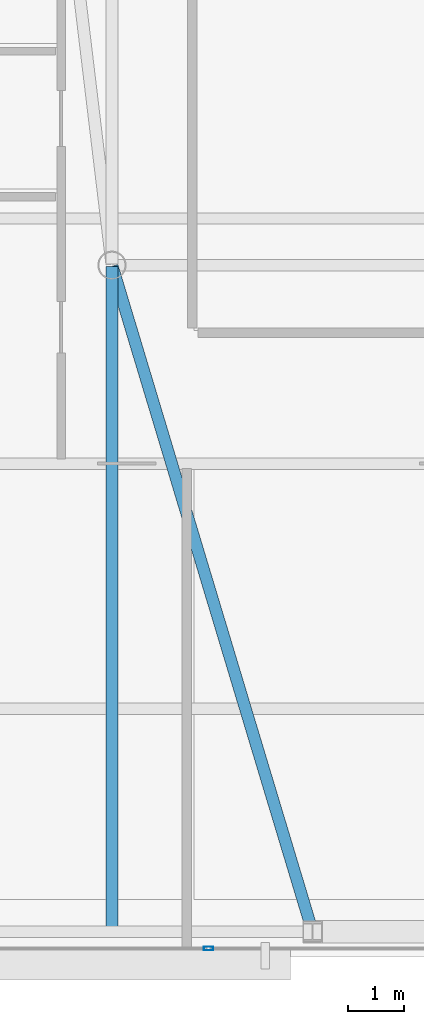
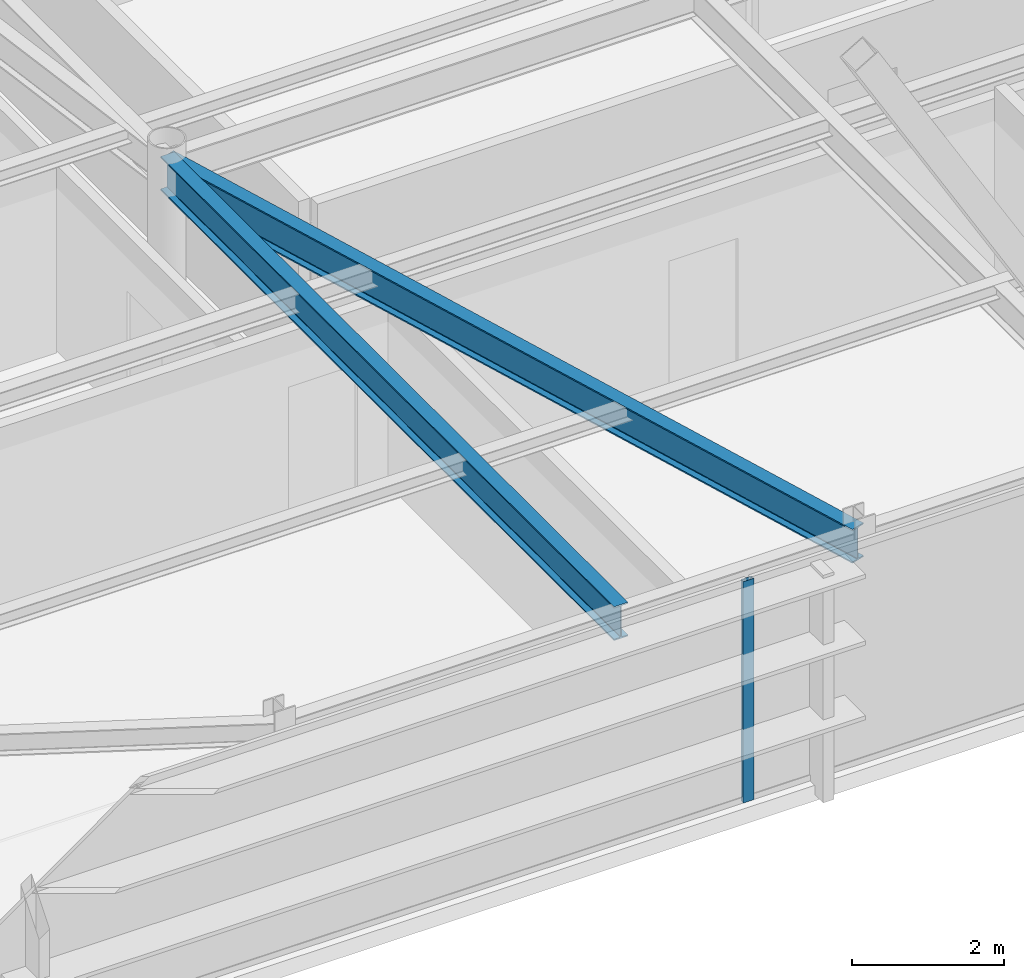
# One storey, part 6 of 24: 2 beams, 1 member, 1 element without a shape of its own.
"""IFC4 building model written with IfcOpenShell, lengths in metres."""

from ifc_helpers import new_model, si_unit, direction, frame, origin, origin_2d, place, context, subcontext, project, spatial, hollow_rectangle, i_section, extrude, source, transform, mapped, material, layer, layer_set, material_profile, profile_set, type_object, type_shapes, element, aggregate, save


model = new_model("IFC4")

# Units and contexts
model_context = context("Model", 3, precision=1e-05, world=origin(), true_north=direction((0.0, 1.0)))
body_context = subcontext(model_context, "Body", "Model", "MODEL_VIEW")
ifc_project = project(units=[si_unit("LENGTHUNIT", "METRE"), si_unit("AREAUNIT", "SQUARE_METRE"), si_unit("VOLUMEUNIT", "CUBIC_METRE"), si_unit("PLANEANGLEUNIT", "RADIAN"), si_unit("MASSUNIT", "GRAM", prefix="KILO")], contexts=[model_context])

# Site, building, storey
site_placement = place(None, origin())
site = spatial("IfcSite", under=ifc_project, at=site_placement, CompositionType="ELEMENT")
building_placement = place(site_placement, origin())
building = spatial("IfcBuilding", under=site, at=building_placement, Name="Varnel Quay Broadcast Tower", CompositionType="ELEMENT")
storey_placement = place(building_placement, frame((0.0, 0.0, 262.199951171875)))
storey = spatial("IfcBuildingStorey", under=building, at=storey_placement, Name="L65", CompositionType="ELEMENT", Elevation=262.199951171875)

# Beams
ifc_material_1 = material(Name="Structural Steel CSA G40.21 350W", Category="steel")
ifc_material_profile_1 = material_profile(ifc_material_1, i_section(OverallWidth=0.2119140625, OverallDepth=0.5439453125, WebThickness=0.01318359375, FlangeThickness=0.021240234375, FilletRadius=0.013916015625, at=origin_2d()), Name="W530X123")
ifc_profile_set_1 = profile_set([ifc_material_profile_1], Name="Structural Steel CSA G40.21 350W")
beam_type = type_object("IfcBeamType", Name="Girder_W530X123", PredefinedType="BEAM", material=ifc_profile_set_1)
shared_shape_1 = source(origin(), body_context, "Body", "SweptSolid", [
    extrude(i_section(OverallWidth=0.2119140625, OverallDepth=0.5439453125, WebThickness=0.01318359375, FlangeThickness=0.021240234375, FilletRadius=0.013916015625, at=origin_2d()), origin(), (0.0, 0.0, 1.0), 12.449951171875),
])
beam_1_placement = place(storey_placement, frame((29.59423828125, 13.669189453125, 3.278076171875), z_axis=(-0.28822390679, 0.957563042078, 0.0), x_axis=(-0.957563042078, -0.28822390679, 0.0)))
element("IfcBeam", 1, at=beam_1_placement, inside=storey, type_object=beam_type, Name="L65 Primary Girder TC-S2-IC-01", PredefinedType="BEAM", context=body_context, shape_type="MappedRepresentation", body=[
    mapped(shared_shape_1, transform((0.0, 0.0, 0.0), x_axis=(1.0, 0.0, 0.0), y_axis=(0.0, 1.0, 0.0), z_axis=(0.0, 0.0, 1.0), scale=1.0)),
])
shared_shape_2 = source(origin(), body_context, "Body", "SweptSolid", [
    extrude(i_section(OverallWidth=0.2119140625, OverallDepth=0.5439453125, WebThickness=0.01318359375, FlangeThickness=0.021240234375, FilletRadius=0.013916015625, at=origin_2d()), origin(), (0.0, 0.0, 1.0), 11.920166015625),
])
type_shapes(beam_type, [shared_shape_1, shared_shape_2])
beam_2_placement = place(storey_placement, frame((26.0, 13.669921875, 3.278076171875), z_axis=(0.0, 1.0, 0.0), x_axis=(-1.0, 0.0, 0.0)))
element("IfcBeam", 2, at=beam_2_placement, inside=storey, type_object=beam_type, Name="L65 N-S Joist Header IC-01S", PredefinedType="BEAM", context=body_context, shape_type="MappedRepresentation", body=[
    mapped(shared_shape_2, transform((0.0, 0.0, 0.0), x_axis=(1.0, 0.0, 0.0), y_axis=(0.0, 1.0, 0.0), z_axis=(0.0, 0.0, 1.0), scale=1.0)),
])

# Curtain wall, member
ifc_material_2 = material(Name="Anodised Bronze Aluminium 6063-T6", Category="aluminium")
ifc_layer = layer(ifc_material_2, 0.18994140625, Name="Anodised Bronze Aluminium 6063-T6")
ifc_layer_set = layer_set([ifc_layer], Name="Anodised Bronze Aluminium 6063-T6")
curtain_wall_type = type_object("IfcCurtainWallType", Name="CW_UpperTower", PredefinedType="NOTDEFINED", material=ifc_layer_set)
curtain_wall_placement = place(storey_placement, origin())
curtain_wall = element("IfcCurtainWall", 3, at=curtain_wall_placement, inside=storey, type_object=curtain_wall_type, Name="L65 South Unitised Curtain Wall 1", PredefinedType="NOTDEFINED")
ifc_material_profile_2 = material_profile(ifc_material_2, hollow_rectangle(XDim=0.06494140625, YDim=0.1650390625, WallThickness=0.00341796875, at=origin_2d()), Name="ALU65X165X3.5")
ifc_profile_set_2 = profile_set([ifc_material_profile_2], Name="Anodised Bronze Aluminium 6063-T6")
member_type = type_object("IfcMemberType", Name="Mull_CWS-03", PredefinedType="MULLION", material=ifc_profile_set_2)
shared_shape_3 = source(origin(), body_context, "Body", "SweptSolid", [
    extrude(hollow_rectangle(XDim=0.06494140625, YDim=0.1650390625, WallThickness=0.00341796875, at=origin_2d()), origin(), (0.0, 0.0, 1.0), 3.550048828125),
])
type_shapes(member_type, [shared_shape_3])
member_placement = place(storey_placement, frame((27.7333984375, 13.35009765625, 0.0), z_axis=(0.0, 0.0, 1.0), x_axis=(0.0, 1.0, 0.0)))
member = element("IfcMember", 4, at=member_placement, type_object=member_type, Name="CWS-03 mullion 2", PredefinedType="MULLION", context=body_context, shape_type="MappedRepresentation", body=[
    mapped(shared_shape_3, transform((0.0, 0.0, 0.0), x_axis=(1.0, 0.0, 0.0), y_axis=(0.0, 1.0, 0.0), z_axis=(0.0, 0.0, 1.0), scale=1.0)),
])
aggregate(curtain_wall, [member])

save(model, "model.ifc")
